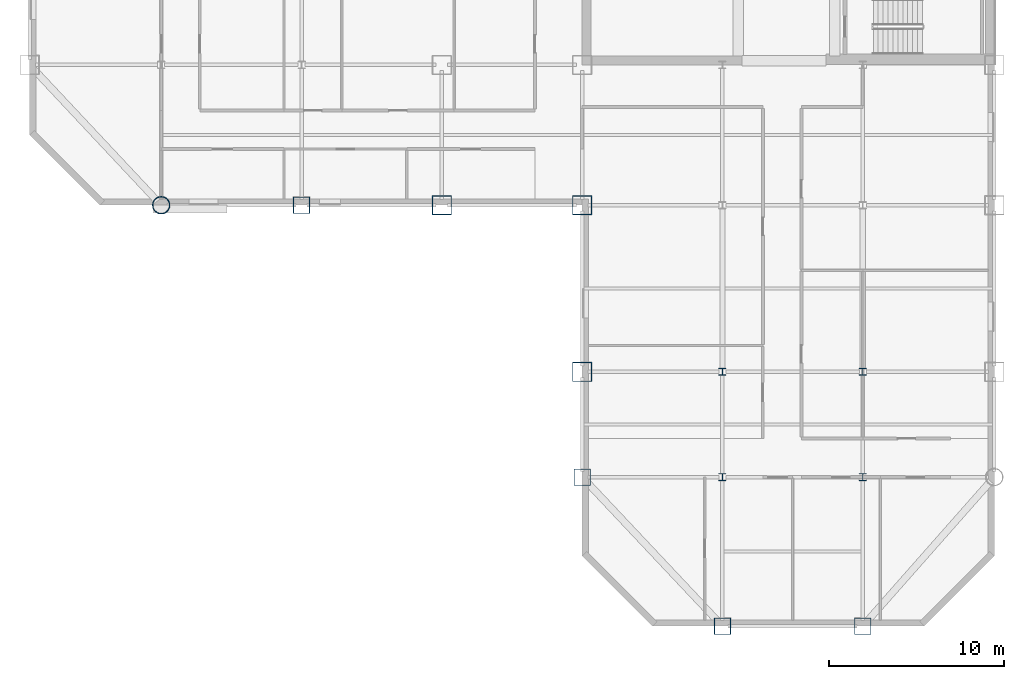
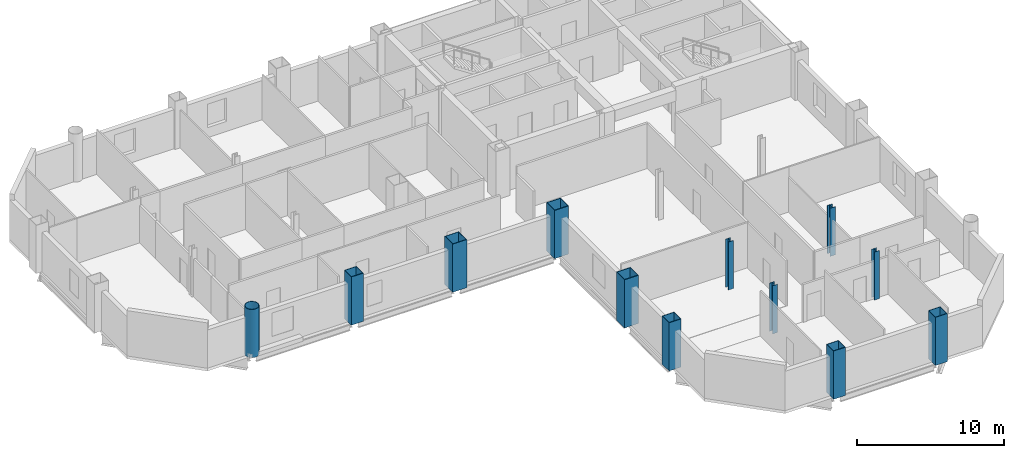
# One storey, part 1 of 10: 12 columns.
"""IFC4 building model written with IfcOpenShell, lengths in metres."""

from ifc_helpers import new_model, si_unit, direction, frame, origin, origin_2d, place, context, subcontext, project, spatial, hollow_rectangle, hollow_circle, i_section, extrude, material, material_profile, profile_set, type_object, element, save


model = new_model("IFC4")

# Units and contexts
model_context = context("Model", 3, precision=1e-05, world=origin(), true_north=direction((0.0, 1.0)))
body_context = subcontext(model_context, "Body", "Model", "MODEL_VIEW")
ifc_project = project(units=[si_unit("LENGTHUNIT", "METRE"), si_unit("AREAUNIT", "SQUARE_METRE"), si_unit("VOLUMEUNIT", "CUBIC_METRE"), si_unit("PLANEANGLEUNIT", "RADIAN"), si_unit("MASSUNIT", "GRAM", prefix="KILO")], contexts=[model_context])

# Site, building, storey
site_placement = place(None, origin())
site = spatial("IfcSite", under=ifc_project, at=site_placement, CompositionType="ELEMENT")
building_placement = place(site_placement, origin())
building = spatial("IfcBuilding", under=site, at=building_placement, Name="Qianrong Seaharbour Tower", CompositionType="ELEMENT")
storey_placement = place(building_placement, frame((0.0, 0.0, 179.0)))
storey = spatial("IfcBuildingStorey", under=building, at=storey_placement, Name="L43", CompositionType="ELEMENT", Elevation=179.0)

# Columns
ifc_material = material(Name="Structural steel SN490B", Category="steel")
ifc_material_profile_1 = material_profile(ifc_material, hollow_rectangle(XDim=1.10009765625, YDim=1.10009765625, WallThickness=0.0400390625, at=origin_2d()), Name="BOX1100x1100x40")
ifc_profile_set_1 = profile_set([ifc_material_profile_1], Name="Structural steel SN490B")
column_type_1 = type_object("IfcColumnType", Name="COL-CFT-1100", PredefinedType="COLUMN", material=ifc_profile_set_1)
for number, where, z_axis, x_axis, name in (
    (1, (32.5, 28.0, 0.0), (0.0, 0.0, 1.0), (1.0, 0.0, 0.0), "L43 Column MC-3 at G5/GE"),
    (2, (40.5, 18.5, 0.0), (0.0, 0.0, 1.0), (1.0, 0.0, 0.0), "L43 Column MC-3 at G6/GD"),
    (3, (40.5, 28.0, 0.0), (0.0, 0.0, 1.0), (1.0, 0.0, 0.0), "L43 Column MC-3 at G6/GE"),
):
    element("IfcColumn", number, at=place(storey_placement, frame(where, z_axis=z_axis, x_axis=x_axis)), inside=storey, type_object=column_type_1, Name=name, PredefinedType="COLUMN", context=body_context, shape_type="SweptSolid", body=[
        extrude(hollow_rectangle(XDim=1.10009765625, YDim=1.10009765625, WallThickness=0.0400390625, at=origin_2d()), origin(), (0.0, 0.0, 1.0), 4.0),
    ])
ifc_material_profile_2 = material_profile(ifc_material, hollow_circle(Radius=0.5, WallThickness=0.035888671875, at=origin_2d()), Name="CHS1000x36")
ifc_profile_set_2 = profile_set([ifc_material_profile_2], Name="Structural steel SN490B")
column_type_2 = type_object("IfcColumnType", Name="COL-CHS-1000", PredefinedType="COLUMN", material=ifc_profile_set_2)
column_placement = place(storey_placement, frame((16.5, 28.0, 0.0), z_axis=(0.0, 0.0, 1.0), x_axis=(1.0, 0.0, 0.0)))
element("IfcColumn", 4, at=column_placement, inside=storey, type_object=column_type_2, Name="L43 Column CC-2 at G3/GE", PredefinedType="COLUMN", context=body_context, shape_type="SweptSolid", body=[
    extrude(hollow_circle(Radius=0.5, WallThickness=0.035888671875, at=origin_2d()), origin(), (0.0, 0.0, 1.0), 4.0),
])
ifc_material_profile_3 = material_profile(ifc_material, i_section(OverallWidth=0.39990234375, OverallDepth=0.39990234375, WebThickness=0.012939453125, FlangeThickness=0.02099609375, FilletRadius=0.02197265625, at=origin_2d()), Name="H400x400x13x21")
ifc_profile_set_3 = profile_set([ifc_material_profile_3], Name="Structural steel SN490B")
column_type_3 = type_object("IfcColumnType", Name="COL-INT-H400", PredefinedType="COLUMN", material=ifc_profile_set_3)
for number, where, z_axis, x_axis, name in (
    (5, (48.5, 12.5, 0.0), (0.0, 0.0, 1.0), (1.0, 0.0, 0.0), "L43 Column IC-3 at G7/GC"),
    (6, (48.5, 18.5, 0.0), (0.0, 0.0, 1.0), (1.0, 0.0, 0.0), "L43 Column IC-3 at G7/GD"),
    (7, (56.5, 12.5, 0.0), (0.0, 0.0, 1.0), (1.0, 0.0, 0.0), "L43 Column IC-3 at G8/GC"),
    (8, (56.5, 18.5, 0.0), (0.0, 0.0, 1.0), (1.0, 0.0, 0.0), "L43 Column IC-3 at G8/GD"),
):
    element("IfcColumn", number, at=place(storey_placement, frame(where, z_axis=z_axis, x_axis=x_axis)), inside=storey, type_object=column_type_3, Name=name, PredefinedType="COLUMN", context=body_context, shape_type="SweptSolid", body=[
        extrude(i_section(OverallWidth=0.39990234375, OverallDepth=0.39990234375, WebThickness=0.012939453125, FlangeThickness=0.02099609375, FilletRadius=0.02197265625, at=origin_2d()), origin(), (0.0, 0.0, 1.0), 4.0),
    ])
ifc_material_profile_4 = material_profile(ifc_material, hollow_rectangle(XDim=0.949951171875, YDim=0.949951171875, WallThickness=0.035888671875, at=origin_2d()), Name="BOX950x950x36")
ifc_profile_set_4 = profile_set([ifc_material_profile_4], Name="Structural steel SN490B")
column_type_4 = type_object("IfcColumnType", Name="COL-PER-950", PredefinedType="COLUMN", material=ifc_profile_set_4)
for number, where, z_axis, x_axis, name in (
    (9, (24.5, 28.0, 0.0), (0.0, 0.0, 1.0), (1.0, 0.0, 0.0), "L43 Column PC-2 at G4/GE"),
    (10, (40.5, 12.5, 0.0), (0.0, 0.0, 1.0), (1.0, 0.0, 0.0), "L43 Column PC-2 at G6/GC"),
    (11, (48.5, 4.0, 0.0), (0.0, 0.0, 1.0), (1.0, 0.0, 0.0), "L43 Column PC-2 at G7/GB"),
    (12, (56.5, 4.0, 0.0), (0.0, 0.0, 1.0), (1.0, 0.0, 0.0), "L43 Column PC-2 at G8/GB"),
):
    element("IfcColumn", number, at=place(storey_placement, frame(where, z_axis=z_axis, x_axis=x_axis)), inside=storey, type_object=column_type_4, Name=name, PredefinedType="COLUMN", context=body_context, shape_type="SweptSolid", body=[
        extrude(hollow_rectangle(XDim=0.949951171875, YDim=0.949951171875, WallThickness=0.035888671875, at=origin_2d()), origin(), (0.0, 0.0, 1.0), 4.0),
    ])

save(model, "model.ifc")
